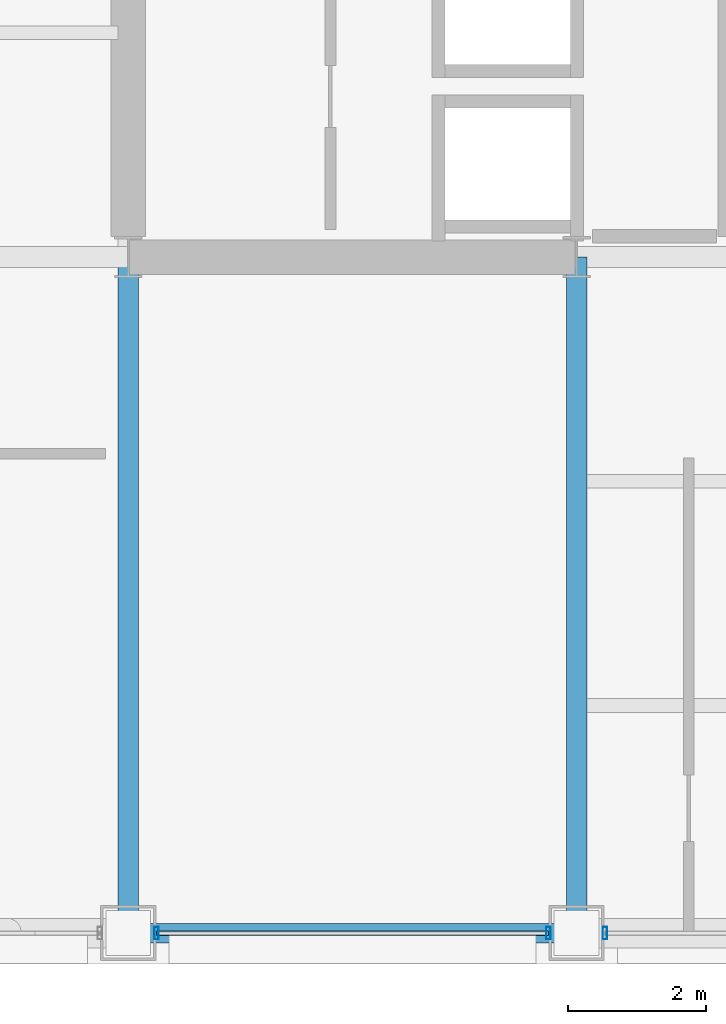
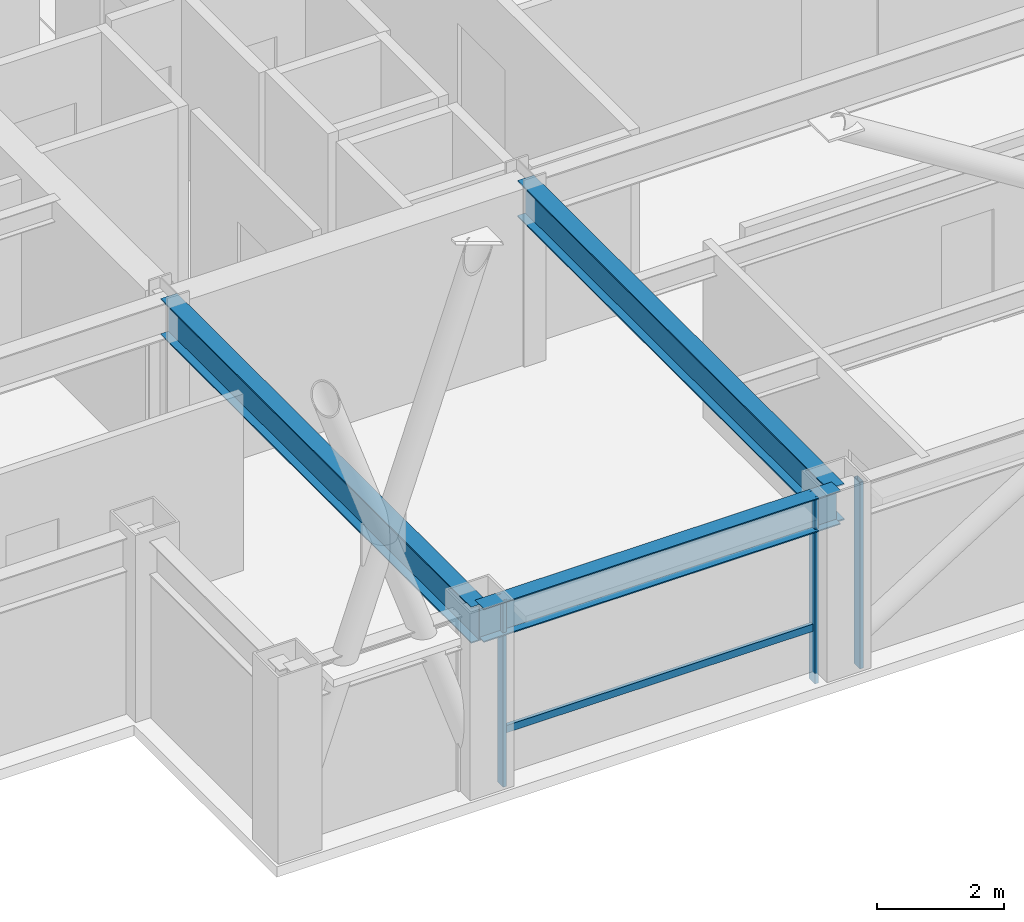
# One storey, part 4 of 33: 4 members, 3 beams, 2 elements without a shape of their own.
"""IFC4 building model written with IfcOpenShell, lengths in metres."""

from ifc_helpers import new_model, si_unit, direction, frame, origin, origin_2d, place, context, subcontext, project, spatial, hollow_rectangle, i_section, extrude, material, layer, layer_set, material_profile, profile_set, type_object, element, aggregate, save


model = new_model("IFC4")

# Units and contexts
model_context = context("Model", 3, precision=1e-05, world=origin(), true_north=direction((0.0, 1.0)))
body_context = subcontext(model_context, "Body", "Model", "MODEL_VIEW")
ifc_project = project(units=[si_unit("LENGTHUNIT", "METRE"), si_unit("AREAUNIT", "SQUARE_METRE"), si_unit("VOLUMEUNIT", "CUBIC_METRE"), si_unit("PLANEANGLEUNIT", "RADIAN"), si_unit("MASSUNIT", "GRAM", prefix="KILO")], contexts=[model_context])

# Site, building, storey
site_placement = place(None, origin())
site = spatial("IfcSite", under=ifc_project, at=site_placement, CompositionType="ELEMENT")
building_placement = place(site_placement, origin())
building = spatial("IfcBuilding", under=site, at=building_placement, Name="Brelmoor Portico Tower", CompositionType="ELEMENT")
storey_placement = place(building_placement, frame((0.0, 0.0, 120.60009765625)))
storey = spatial("IfcBuildingStorey", under=building, at=storey_placement, Name="L31", CompositionType="ELEMENT", Elevation=120.60009765625)

# Beams
ifc_material_1 = material(Name="Steel Q355B", Category="steel")
ifc_material_profile_1 = material_profile(ifc_material_1, i_section(OverallWidth=0.300048828125, OverallDepth=0.699951171875, WebThickness=0.012939453125, FlangeThickness=0.02392578125, at=origin_2d()), Name="HN 700x300x13x24")
ifc_profile_set_1 = profile_set([ifc_material_profile_1], Name="Steel Q355B")
beam_type_1 = type_object("IfcBeamType", Name="BM-PG-700", PredefinedType="BEAM", material=ifc_profile_set_1)
for number, where, z_axis, x_axis, name in (
    (1, (-14.550048828125, -19.550048828125, 3.0498046875), (0.0, 1.0, 0.0), (-1.0, 0.0, 0.0), "L31 Primary Floor Girder PG-01"),
    (2, (-8.050048828125, -19.550048828125, 3.0498046875), (0.0, 1.0, 0.0), (-1.0, 0.0, 0.0), "L31 Primary Floor Girder PG-05"),
):
    element("IfcBeam", number, at=place(storey_placement, frame(where, z_axis=z_axis, x_axis=x_axis)), inside=storey, type_object=beam_type_1, Name=name, PredefinedType="BEAM", context=body_context, shape_type="SweptSolid", body=[
        extrude(i_section(OverallWidth=0.300048828125, OverallDepth=0.699951171875, WebThickness=0.012939453125, FlangeThickness=0.02392578125, at=origin_2d()), origin(), (0.0, 0.0, 1.0), 9.800048828125),
    ])
ifc_material_profile_2 = material_profile(ifc_material_1, i_section(OverallWidth=0.280029296875, OverallDepth=0.64990234375, WebThickness=0.012939453125, FlangeThickness=0.02197265625, at=origin_2d()), Name="HN 650x280x13x22")
ifc_profile_set_2 = profile_set([ifc_material_profile_2], Name="Steel Q355B")
beam_type_2 = type_object("IfcBeamType", Name="BM-SP-650", PredefinedType="SPANDREL", material=ifc_profile_set_2)
beam_placement = place(storey_placement, frame((-14.550048828125, -19.550048828125, 3.074951171875), z_axis=(1.0, 0.0, 0.0), x_axis=(0.0, 1.0, 0.0)))
element("IfcBeam", 3, at=beam_placement, inside=storey, type_object=beam_type_2, Name="L31 Perimeter Spandrel Beam SP-02", PredefinedType="SPANDREL", context=body_context, shape_type="SweptSolid", body=[
    extrude(i_section(OverallWidth=0.280029296875, OverallDepth=0.64990234375, WebThickness=0.012939453125, FlangeThickness=0.02197265625, at=origin_2d()), origin(), (0.0, 0.0, 1.0), 6.5),
])

# Curtain wall, members
ifc_material_2 = material(Name="Anodised Aluminium Alloy 6063-T6", Category="aluminium")
ifc_layer_1 = layer(ifc_material_2, 0.179931640625)
ifc_layer_set_1 = layer_set([ifc_layer_1], Name="Anodised Aluminium Alloy 6063-T6")
curtain_wall_type_1 = type_object("IfcCurtainWallType", Name="CW-TOWER-Z2", PredefinedType="NOTDEFINED", material=ifc_layer_set_1)
curtain_wall_1_placement = place(storey_placement, origin())
curtain_wall_1 = element("IfcCurtainWall", 4, at=curtain_wall_1_placement, inside=storey, type_object=curtain_wall_type_1, Name="L31 Curtain Wall CW-L31-01-2", PredefinedType="NOTDEFINED")
ifc_material_profile_3 = material_profile(ifc_material_2, hollow_rectangle(XDim=0.06494140625, YDim=0.179931640625, WallThickness=0.00390625, at=origin_2d()), Name="ALU MULLION 65x180")
ifc_profile_set_3 = profile_set([ifc_material_profile_3], Name="Anodised Aluminium Alloy 6063-T6")
member_type_1 = type_object("IfcMemberType", Name="MB-CW-MULL-180", PredefinedType="MULLION", material=ifc_profile_set_3)
member_1_placement = place(storey_placement, frame((-14.139892578125, -19.550048828125, -0.2001953125), z_axis=(0.0, 0.0, 1.0), x_axis=(1.0, 0.0, 0.0)))
member_1 = element("IfcMember", 5, at=member_1_placement, type_object=member_type_1, Name="CW-L31-01-2 Mullion 00", PredefinedType="MULLION", context=body_context, shape_type="SweptSolid", body=[
    extrude(hollow_rectangle(XDim=0.06494140625, YDim=0.179931640625, WallThickness=0.00390625, at=origin_2d()), origin(), (0.0, 0.0, 1.0), 3.60009765625),
])
member_2_placement = place(storey_placement, frame((-8.4599609375, -19.550048828125, -0.2001953125), z_axis=(0.0, 0.0, 1.0), x_axis=(1.0, 0.0, 0.0)))
member_2 = element("IfcMember", 6, at=member_2_placement, type_object=member_type_1, Name="CW-L31-01-2 Mullion 01", PredefinedType="MULLION", context=body_context, shape_type="SweptSolid", body=[
    extrude(hollow_rectangle(XDim=0.06494140625, YDim=0.179931640625, WallThickness=0.00390625, at=origin_2d()), origin(), (0.0, 0.0, 1.0), 3.60009765625),
])

# Curtain wall, member
ifc_layer_2 = layer(ifc_material_2, 0.179931640625)
ifc_layer_set_2 = layer_set([ifc_layer_2], Name="Anodised Aluminium Alloy 6063-T6")
curtain_wall_type_2 = type_object("IfcCurtainWallType", Name="CW-TOWER-Z2-XB", PredefinedType="NOTDEFINED", material=ifc_layer_set_2)
curtain_wall_2_placement = place(storey_placement, origin())
curtain_wall_2 = element("IfcCurtainWall", 7, at=curtain_wall_2_placement, inside=storey, type_object=curtain_wall_type_2, Name="L31 Curtain Wall CW-L31-01-3", PredefinedType="NOTDEFINED")
member_3_placement = place(storey_placement, frame((-7.639892578125, -19.550048828125, -0.2001953125), z_axis=(0.0, 0.0, 1.0), x_axis=(1.0, 0.0, 0.0)))
member_3 = element("IfcMember", 8, at=member_3_placement, type_object=member_type_1, Name="CW-L31-01-3 Mullion 00", PredefinedType="MULLION", context=body_context, shape_type="SweptSolid", body=[
    extrude(hollow_rectangle(XDim=0.06494140625, YDim=0.179931640625, WallThickness=0.00390625, at=origin_2d()), origin(), (0.0, 0.0, 1.0), 3.60009765625),
])
aggregate(curtain_wall_2, [member_3])

# Member
ifc_material_profile_4 = material_profile(ifc_material_2, hollow_rectangle(XDim=0.06494140625, YDim=0.139892578125, WallThickness=0.00390625, at=origin_2d()), Name="ALU TRANSOM 65x140")
ifc_profile_set_4 = profile_set([ifc_material_profile_4], Name="Anodised Aluminium Alloy 6063-T6")
member_type_2 = type_object("IfcMemberType", Name="MB-CW-TRAN-140", PredefinedType="USERDEFINED", material=ifc_profile_set_4)
member_4_placement = place(storey_placement, frame((-14.139892578125, -19.550048828125, 0.849853515625), z_axis=(1.0, 0.0, 0.0), x_axis=(0.0, 1.0, 0.0)))
member_4 = element("IfcMember", 9, at=member_4_placement, type_object=member_type_2, Name="CW-L31-01-2 Transom 1-00", ObjectType="TRANSOM", PredefinedType="USERDEFINED", context=body_context, shape_type="SweptSolid", body=[
    extrude(hollow_rectangle(XDim=0.06494140625, YDim=0.139892578125, WallThickness=0.00390625, at=origin_2d()), origin(), (0.0, 0.0, 1.0), 5.679931640625),
])

aggregate(curtain_wall_1, [member_1, member_2, member_4])

save(model, "model.ifc")
